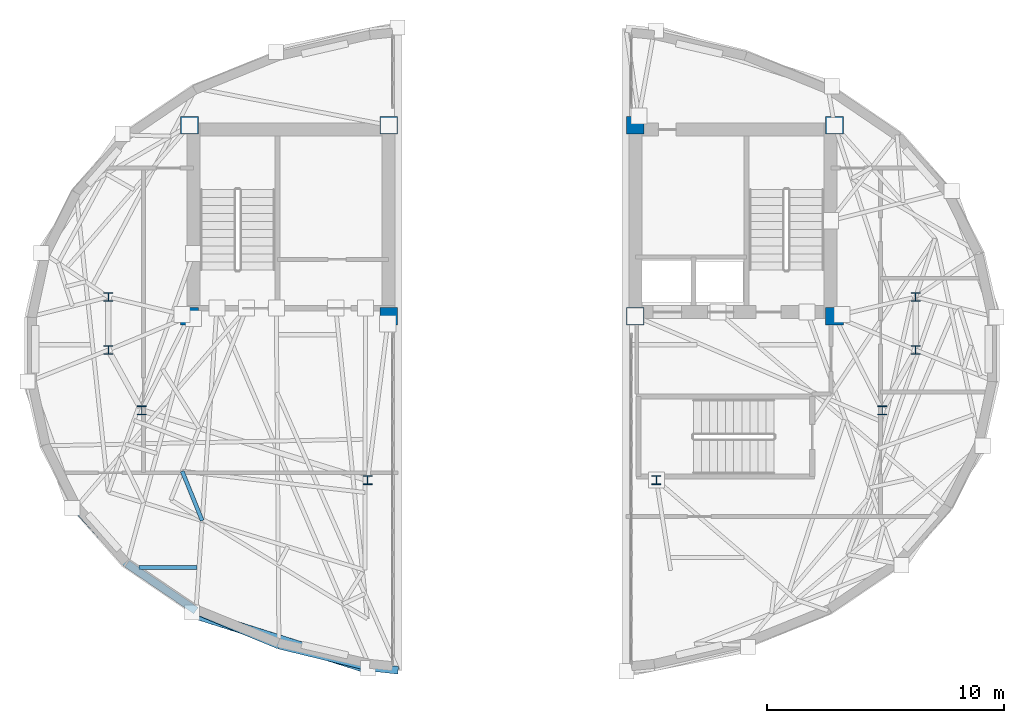
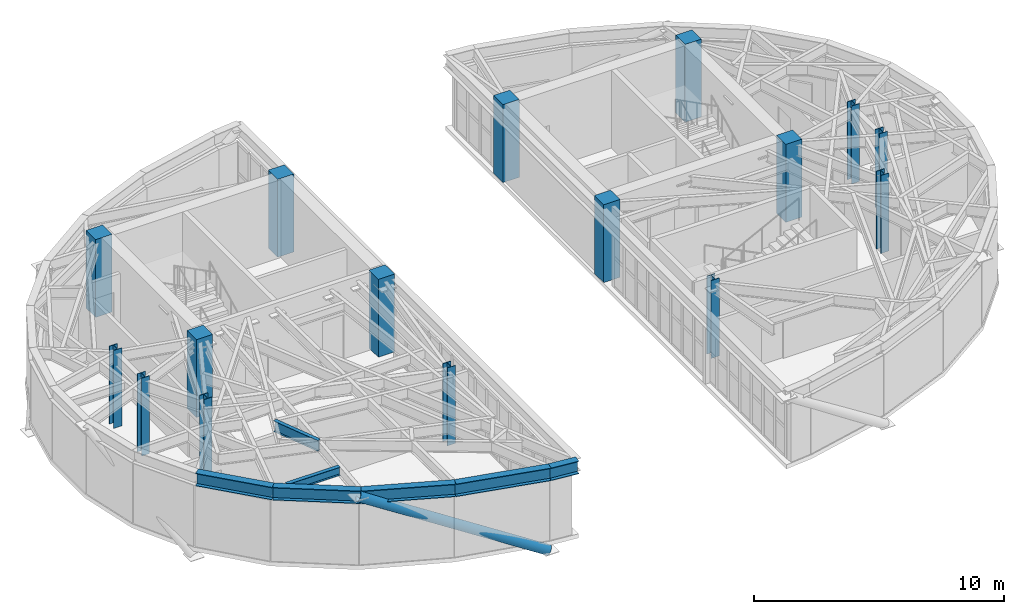
# One storey, part 1 of 13: 16 columns, 7 beams, 1 member.
"""IFC4 building model written with IfcOpenShell, lengths in metres."""

from ifc_helpers import new_model, si_unit, direction, frame, origin, origin_2d, place, context, subcontext, project, spatial, rectangle, hollow_circle, i_section, extrude, material, material_profile, profile_set, type_object, element, save


model = new_model("IFC4")

# Units and contexts
model_context = context("Model", 3, precision=1e-05, world=origin(), true_north=direction((0.0, 1.0)))
body_context = subcontext(model_context, "Body", "Model", "MODEL_VIEW")
ifc_project = project(units=[si_unit("LENGTHUNIT", "METRE"), si_unit("AREAUNIT", "SQUARE_METRE"), si_unit("VOLUMEUNIT", "CUBIC_METRE"), si_unit("PLANEANGLEUNIT", "RADIAN"), si_unit("MASSUNIT", "GRAM", prefix="KILO")], contexts=[model_context])

# Site, building, storey
site_placement = place(None, origin())
site = spatial("IfcSite", under=ifc_project, at=site_placement, CompositionType="ELEMENT")
building_placement = place(site_placement, origin())
building = spatial("IfcBuilding", under=site, at=building_placement, Name="Keldmark Tower", CompositionType="ELEMENT")
storey_placement = place(building_placement, frame((0.0, 0.0, 276.800048828125)))
storey = spatial("IfcBuildingStorey", under=building, at=storey_placement, Name="L78", CompositionType="ELEMENT", Elevation=276.800048828125)

# Columns
ifc_material_1 = material(Name="Concrete C50/60", Category="concrete")
ifc_material_profile_1 = material_profile(ifc_material_1, rectangle(XDim=0.75, YDim=0.75, at=origin_2d()), Name="RC750X750")
ifc_profile_set_1 = profile_set([ifc_material_profile_1], Name="Concrete C50/60")
column_type_1 = type_object("IfcColumnType", Name="Core Boundary Column RC750", PredefinedType="PILASTER", material=ifc_profile_set_1)
for number, where, z_axis, x_axis, name in (
    (1, (-13.60009765625, 1.39990234375, 0.0), (0.0, 0.0, 1.0), (1.0, 0.0, 0.0), "L78 Core Boundary Column CC-W1"),
    (2, (-13.60009765625, 9.449951171875, 0.0), (0.0, 0.0, 1.0), (1.0, 0.0, 0.0), "L78 Core Boundary Column CC-W2"),
    (3, (-5.199951171875, 1.39990234375, 0.0), (0.0, 0.0, 1.0), (1.0, 0.0, 0.0), "L78 Core Boundary Column CC-W3"),
    (4, (-5.199951171875, 9.449951171875, 0.0), (0.0, 0.0, 1.0), (1.0, 0.0, 0.0), "L78 Core Boundary Column CC-W4"),
    (5, (5.199951171875, 1.39990234375, 0.0), (0.0, 0.0, 1.0), (1.0, 0.0, 0.0), "L78 Core Boundary Column CC-E1"),
    (6, (5.199951171875, 9.449951171875, 0.0), (0.0, 0.0, 1.0), (1.0, 0.0, 0.0), "L78 Core Boundary Column CC-E2"),
    (7, (13.60009765625, 1.39990234375, 0.0), (0.0, 0.0, 1.0), (1.0, 0.0, 0.0), "L78 Core Boundary Column CC-E3"),
    (8, (13.60009765625, 9.449951171875, 0.0), (0.0, 0.0, 1.0), (1.0, 0.0, 0.0), "L78 Core Boundary Column CC-E4"),
):
    element("IfcColumn", number, at=place(storey_placement, frame(where, z_axis=z_axis, x_axis=x_axis)), inside=storey, type_object=column_type_1, Name=name, PredefinedType="PILASTER", context=body_context, shape_type="SweptSolid", body=[
        extrude(rectangle(XDim=0.75, YDim=0.75, at=origin_2d()), origin(), (0.0, 0.0, 1.0), 3.800048828125),
    ])
ifc_material_2 = material(Name="Steel ASTM A992 Grade 50", Category="steel")
ifc_material_profile_2 = material_profile(ifc_material_2, i_section(OverallWidth=0.3740234375, OverallDepth=0.3720703125, WebThickness=0.016357421875, FlangeThickness=0.026123046875, at=origin_2d()), Name="W14X132")
ifc_profile_set_2 = profile_set([ifc_material_profile_2], Name="Steel ASTM A992 Grade 50")
column_type_2 = type_object("IfcColumnType", Name="Tower Gravity Column W14X132", PredefinedType="COLUMN", material=ifc_profile_set_2)
for number, where, z_axis, x_axis, name in (
    (9, (17.025634765625, 2.2080078125, 0.0), (0.0, 0.0, 1.0), (1.0, 0.0, 0.0), "L78 Tower Gravity Column TC-E1"),
    (10, (-17.025634765625, 2.2080078125, 0.0), (0.0, 0.0, 1.0), (1.0, 0.0, 0.0), "L78 Tower Gravity Column TC-W1"),
    (11, (-17.025634765625, -0.02392578125, 0.0), (0.0, 0.0, 1.0), (1.0, 0.0, 0.0), "L78 Tower Gravity Column TC-W5"),
    (12, (-15.6162109375, -2.5673828125, 0.0), (0.0, 0.0, 1.0), (1.0, 0.0, 0.0), "L78 Tower Gravity Column TC-W2"),
    (13, (-6.089599609375, -5.512939453125, 0.0), (0.0, 0.0, 1.0), (1.0, 0.0, 0.0), "L78 Tower Gravity Column TC-W3"),
    (14, (6.089599609375, -5.512939453125, 0.0), (0.0, 0.0, 1.0), (1.0, 0.0, 0.0), "L78 Tower Gravity Column TC-E3"),
    (15, (15.6162109375, -2.5673828125, 0.0), (0.0, 0.0, 1.0), (1.0, 0.0, 0.0), "L78 Tower Gravity Column TC-E2"),
    (16, (17.025634765625, -0.02392578125, 0.0), (0.0, 0.0, 1.0), (1.0, 0.0, 0.0), "L78 Tower Gravity Column TC-E5"),
):
    element("IfcColumn", number, at=place(storey_placement, frame(where, z_axis=z_axis, x_axis=x_axis)), inside=storey, type_object=column_type_2, Name=name, PredefinedType="COLUMN", context=body_context, shape_type="SweptSolid", body=[
        extrude(i_section(OverallWidth=0.3740234375, OverallDepth=0.3720703125, WebThickness=0.016357421875, FlangeThickness=0.026123046875, at=origin_2d()), origin(), (0.0, 0.0, 1.0), 3.800048828125),
    ])

# Beam
ifc_material_3 = material(Name="Steel ASTM A992 Grade 50", Category="steel")
ifc_material_profile_3 = material_profile(ifc_material_3, i_section(OverallWidth=0.177978515625, OverallDepth=0.403076171875, WebThickness=0.007568359375, FlangeThickness=0.010986328125, at=origin_2d()), Name="W16X36")
ifc_profile_set_3 = profile_set([ifc_material_profile_3], Name="Steel ASTM A992 Grade 50")
beam_type_1 = type_object("IfcBeamType", Name="Composite Floor Joist W16X36", PredefinedType="JOIST", material=ifc_profile_set_3)
beam_1_placement = place(storey_placement, frame((-15.725830078125, -9.199951171875, 3.3984375), z_axis=(1.0, 0.0, 0.0), x_axis=(0.0, 1.0, 0.0)))
element("IfcBeam", 17, at=beam_1_placement, inside=storey, type_object=beam_type_1, Name="L78 Composite Floor Joist J04", PredefinedType="JOIST", context=body_context, shape_type="SweptSolid", body=[
    extrude(i_section(OverallWidth=0.177978515625, OverallDepth=0.403076171875, WebThickness=0.007568359375, FlangeThickness=0.010986328125, at=origin_2d()), origin(), (0.0, 0.0, 1.0), 2.4482421875),
])

# Member
ifc_material_4 = material(Name="Steel ASTM A572 Grade 50", Category="steel")
ifc_material_profile_4 = material_profile(ifc_material_4, hollow_circle(Radius=0.22509765625, WallThickness=0.02197265625, at=origin_2d()), Name="CHS450X22")
ifc_profile_set_4 = profile_set([ifc_material_profile_4], Name="Steel ASTM A572 Grade 50")
member_type = type_object("IfcMemberType", Name="Crown Frame Brace CHS450X22", PredefinedType="USERDEFINED", material=ifc_profile_set_4)
member_placement = place(storey_placement, frame((-6.067138671875, -13.448974609375, -0.449951171875), z_axis=(-0.857053930189, 0.271093097314, 0.438140494973), x_axis=(-0.301580971416, -0.95344056851, 0.0)))
element("IfcMember", 18, at=member_placement, inside=storey, type_object=member_type, Name="L78 Crown Frame Diagonal W00", ObjectType="CROWN FRAME", PredefinedType="USERDEFINED", context=body_context, shape_type="SweptSolid", body=[
    extrude(hollow_circle(Radius=0.22509765625, WallThickness=0.02197265625, at=origin_2d()), origin(), (0.0, 0.0, 1.0), 8.672607421875),
])

# Beams
ifc_material_5 = material(Name="Steel ASTM A992 Grade 50", Category="steel")
ifc_material_profile_5 = material_profile(ifc_material_5, i_section(OverallWidth=0.166015625, OverallDepth=0.529052734375, WebThickness=0.009765625, FlangeThickness=0.013671875, at=origin_2d()), Name="W21X50")
ifc_profile_set_5 = profile_set([ifc_material_profile_5], Name="Steel ASTM A992 Grade 50")
beam_type_2 = type_object("IfcBeamType", Name="Radial Tie Girder W21X50", PredefinedType="BEAM", material=ifc_profile_set_5)
beam_2_placement = place(storey_placement, frame((-13.909423828125, -5.135498046875, 3.33544921875), z_axis=(0.375206083937, -0.926941419172, 0.0), x_axis=(0.926941419172, 0.375206083937, 0.0)))
element("IfcBeam", 19, at=beam_2_placement, inside=storey, type_object=beam_type_2, Name="L78 Framing Pin Header PH-017", PredefinedType="BEAM", context=body_context, shape_type="SweptSolid", body=[
    extrude(i_section(OverallWidth=0.166015625, OverallDepth=0.529052734375, WebThickness=0.009765625, FlangeThickness=0.013671875, at=origin_2d()), origin(), (0.0, 0.0, 1.0), 2.248779296875),
])
ifc_material_6 = material(Name="Steel ASTM A992 Grade 50", Category="steel")
ifc_material_profile_6 = material_profile(ifc_material_6, i_section(OverallWidth=0.326904296875, OverallDepth=0.6220703125, WebThickness=0.015380859375, FlangeThickness=0.0244140625, at=origin_2d()), Name="W24X131")
ifc_profile_set_6 = profile_set([ifc_material_profile_6], Name="Steel ASTM A992 Grade 50")
beam_type_3 = type_object("IfcBeamType", Name="Spandrel Ring Beam W24X131", PredefinedType="SPANDREL", material=ifc_profile_set_6)
beam_3_placement = place(storey_placement, frame((-5.994140625, -13.403564453125, 3.2890625), z_axis=(-0.971821767111, 0.235716891564, 0.0), x_axis=(-0.235716891564, -0.971821767111, 0.0)))
element("IfcBeam", 20, at=beam_3_placement, inside=storey, type_object=beam_type_3, Name="L78 Crown Spandrel Ring Beam CRB-W01", PredefinedType="SPANDREL", context=body_context, shape_type="SweptSolid", body=[
    extrude(i_section(OverallWidth=0.326904296875, OverallDepth=0.6220703125, WebThickness=0.015380859375, FlangeThickness=0.0244140625, at=origin_2d()), origin(), (0.0, 0.0, 1.0), 3.946044921875),
])
beam_4_placement = place(storey_placement, frame((-9.8291015625, -12.473388671875, 3.2890625), z_axis=(-0.923105506265, 0.384546777783, 0.0), x_axis=(-0.384546777783, -0.923105506265, 0.0)))
element("IfcBeam", 21, at=beam_4_placement, inside=storey, type_object=beam_type_3, Name="L78 Crown Spandrel Ring Beam CRB-W02", PredefinedType="SPANDREL", context=body_context, shape_type="SweptSolid", body=[
    extrude(i_section(OverallWidth=0.326904296875, OverallDepth=0.6220703125, WebThickness=0.015380859375, FlangeThickness=0.0244140625, at=origin_2d()), origin(), (0.0, 0.0, 1.0), 3.790283203125),
])
beam_5_placement = place(storey_placement, frame((-13.327880859375, -11.015869140625, 3.2890625), z_axis=(-0.827572470877, 0.56135889184, 0.0), x_axis=(-0.56135889184, -0.827572470877, 0.0)))
element("IfcBeam", 22, at=beam_5_placement, inside=storey, type_object=beam_type_3, Name="L78 Crown Spandrel Ring Beam CRB-W03", PredefinedType="SPANDREL", context=body_context, shape_type="SweptSolid", body=[
    extrude(i_section(OverallWidth=0.326904296875, OverallDepth=0.6220703125, WebThickness=0.015380859375, FlangeThickness=0.0244140625, at=origin_2d()), origin(), (0.0, 0.0, 1.0), 3.518798828125),
])
beam_6_placement = place(storey_placement, frame((-16.239990234375, -9.04052734375, 3.2890625), z_axis=(-0.671198803594, 0.741277388064, 0.0), x_axis=(-0.741277388064, -0.671198803594, 0.0)))
element("IfcBeam", 23, at=beam_6_placement, inside=storey, type_object=beam_type_3, Name="L78 Crown Spandrel Ring Beam CRB-W04", PredefinedType="SPANDREL", context=body_context, shape_type="SweptSolid", body=[
    extrude(i_section(OverallWidth=0.326904296875, OverallDepth=0.6220703125, WebThickness=0.015380859375, FlangeThickness=0.0244140625, at=origin_2d()), origin(), (0.0, 0.0, 1.0), 3.20166015625),
])
beam_7_placement = place(storey_placement, frame((-4.800048828125, -13.531982421875, 3.2890625), z_axis=(-0.99426677792, 0.106927893107, 0.0), x_axis=(-0.106927893107, -0.99426677792, 0.0)))
element("IfcBeam", 24, at=beam_7_placement, inside=storey, type_object=beam_type_3, Name="L78 Crown Spandrel Ring Beam CRB-W16", PredefinedType="SPANDREL", context=body_context, shape_type="SweptSolid", body=[
    extrude(i_section(OverallWidth=0.326904296875, OverallDepth=0.6220703125, WebThickness=0.015380859375, FlangeThickness=0.0244140625, at=origin_2d()), origin(), (0.0, 0.0, 1.0), 1.200927734375),
])

save(model, "model.ifc")
